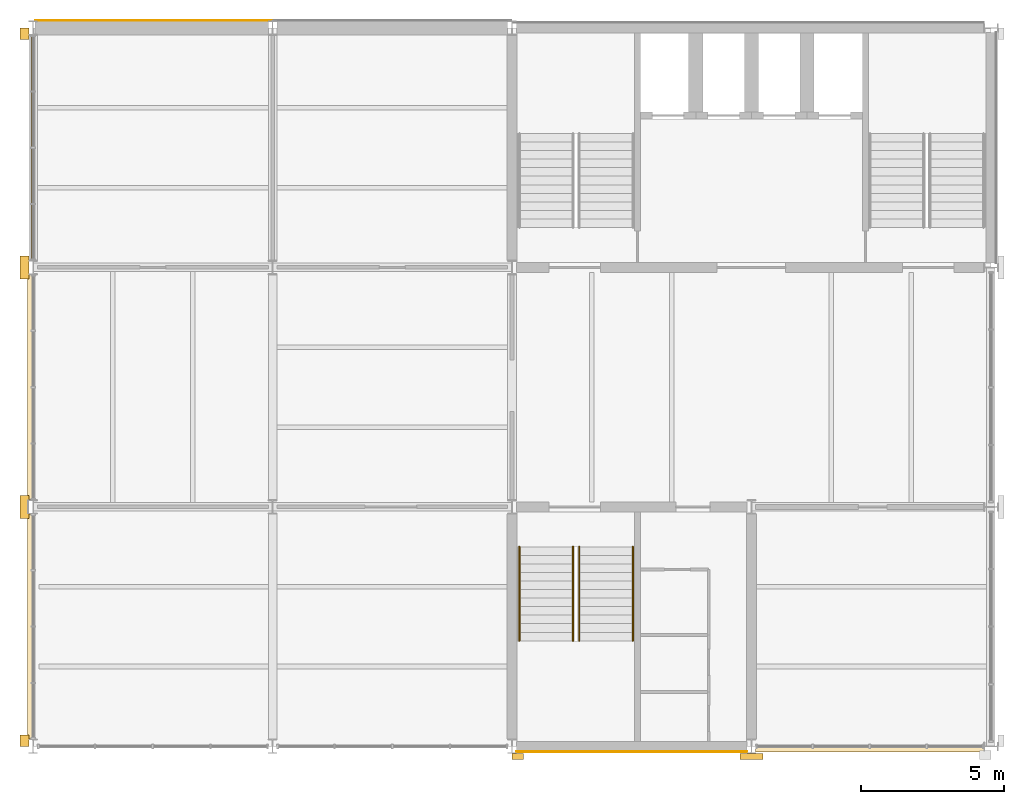
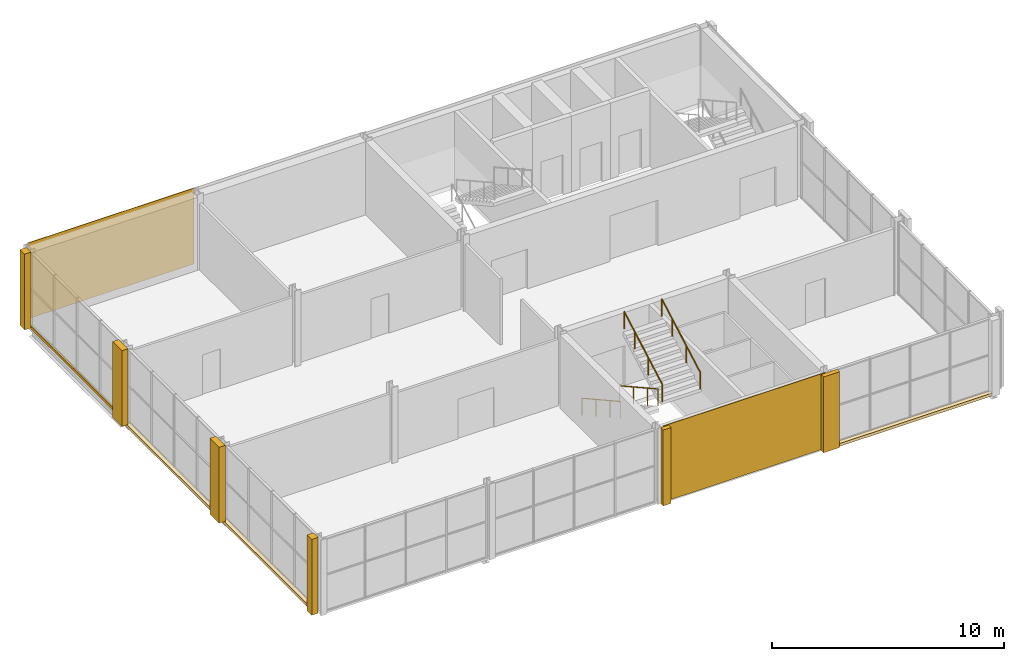
# One storey, part 10 of 12: 12 coverings, 4 railings.
"""IFC4 building model written with IfcOpenShell, lengths in metres."""

from ifc_helpers import new_model, si_unit, direction, frame, origin, origin_2d, place, context, subcontext, project, spatial, rectangle, circle, extrude, material, layer, layer_set, type_object, element, save


model = new_model("IFC4")

# Units and contexts
model_context = context("Model", 3, precision=1e-05, world=origin(), true_north=direction((0.0, 1.0)))
body_context = subcontext(model_context, "Body", "Model", "MODEL_VIEW")
ifc_project = project(units=[si_unit("LENGTHUNIT", "METRE"), si_unit("AREAUNIT", "SQUARE_METRE"), si_unit("VOLUMEUNIT", "CUBIC_METRE"), si_unit("PLANEANGLEUNIT", "RADIAN"), si_unit("MASSUNIT", "GRAM", prefix="KILO")], contexts=[model_context])

# Site, building, storey
site_placement = place(None, origin())
site = spatial("IfcSite", under=ifc_project, at=site_placement, CompositionType="ELEMENT")
building_placement = place(site_placement, origin())
building = spatial("IfcBuilding", under=site, at=building_placement, Name="Galleria Vessillo Department Store", CompositionType="ELEMENT")
storey_placement = place(building_placement, frame((0.0, 0.0, 35.60009765625)))
storey = spatial("IfcBuildingStorey", under=building, at=storey_placement, Name="L07", CompositionType="ELEMENT", Elevation=35.60009765625)

# Coverings
ifc_material_1 = material(Name="Lime plaster (intonaco) ochre")
ifc_layer_1 = layer(ifc_material_1, 0.030029296875)
ifc_layer_set_1 = layer_set([ifc_layer_1], Name="Lime plaster (intonaco) ochre")
covering_type_1 = type_object("IfcCoveringType", Name="Lime plaster render 30 mm", PredefinedType="CLADDING", material=ifc_layer_set_1)
covering_1_placement = place(storey_placement, frame((88.222412109375, 63.264892578125, 0.0), z_axis=(0.0, 0.0, 1.0), x_axis=(1.0, 0.0, 0.0)))
element("IfcCovering", 1, at=covering_1_placement, inside=storey, type_object=covering_type_1, Name="Wall cladding S-TN-L07-01", PredefinedType="CLADDING", context=body_context, shape_type="SweptSolid", body=[
    extrude(rectangle(XDim=8.295166015625, YDim=0.030029296875, at=origin_2d()), origin(), (0.0, 0.0, 1.0), 4.0),
])
ifc_material_2 = material(Name="Botticino limestone ashlar", Category="masonry")
ifc_layer_2 = layer(ifc_material_2, 0.14990234375)
ifc_layer_set_2 = layer_set([ifc_layer_2], Name="Botticino limestone ashlar")
covering_type_2 = type_object("IfcCoveringType", Name="Limestone slab-edge fascia 150 mm", PredefinedType="CLADDING", material=ifc_layer_set_2)
covering_2_placement = place(storey_placement, frame((83.89990234375, 42.0, -0.14990234375), z_axis=(0.0, 0.0, 1.0), x_axis=(1.0, 0.0, 0.0)))
element("IfcCovering", 2, at=covering_2_placement, inside=storey, type_object=covering_type_2, Name="Slab-edge fascia TW-L06-01", PredefinedType="CLADDING", context=body_context, shape_type="SweptSolid", body=[
    extrude(rectangle(XDim=0.199951171875, YDim=7.89990234375, at=origin_2d()), origin(), (0.0, 0.0, 1.0), 0.14990234375),
])
covering_3_placement = place(storey_placement, frame((83.89990234375, 50.39990234375, -0.14990234375), z_axis=(0.0, 0.0, 1.0), x_axis=(1.0, 0.0, 0.0)))
element("IfcCovering", 3, at=covering_3_placement, inside=storey, type_object=covering_type_2, Name="Slab-edge fascia TW-L06-02", PredefinedType="CLADDING", context=body_context, shape_type="SweptSolid", body=[
    extrude(rectangle(XDim=0.199951171875, YDim=7.900146484375, at=origin_2d()), origin(), (0.0, 0.0, 1.0), 0.14990234375),
])
covering_4_placement = place(storey_placement, frame((83.9599609375, 58.800048828125, -0.14990234375), z_axis=(0.0, 0.0, 1.0), x_axis=(1.0, 0.0, 0.0)))
element("IfcCovering", 4, at=covering_4_placement, inside=storey, type_object=covering_type_2, Name="Slab-edge fascia TW-L06-03", PredefinedType="CLADDING", context=body_context, shape_type="SweptSolid", body=[
    extrude(rectangle(XDim=0.080078125, YDim=7.89990234375, at=origin_2d()), origin(), (0.0, 0.0, 1.0), 0.14990234375),
])
covering_5_placement = place(storey_placement, frame((113.35009765625, 37.699951171875, -0.14990234375), z_axis=(0.0, 0.0, 1.0), x_axis=(1.0, 0.0, 0.0)))
element("IfcCovering", 5, at=covering_5_placement, inside=storey, type_object=covering_type_2, Name="Slab-edge fascia TS-L06-01", PredefinedType="CLADDING", context=body_context, shape_type="SweptSolid", body=[
    extrude(rectangle(XDim=8.000244140625, YDim=0.199951171875, at=origin_2d()), origin(), (0.0, 0.0, 1.0), 0.14990234375),
])
ifc_material_3 = material(Name="Botticino limestone ashlar", Category="masonry")
ifc_layer_3 = layer(ifc_material_3, 0.31005859375)
ifc_layer_set_3 = layer_set([ifc_layer_3], Name="Botticino limestone ashlar")
covering_type_3 = type_object("IfcCoveringType", Name="Limestone tower pilaster strip", PredefinedType="CLADDING", material=ifc_layer_set_3)
covering_6_placement = place(storey_placement, frame((83.695068359375, 38.0, 0.0), z_axis=(0.0, 0.0, 1.0), x_axis=(1.0, 0.0, 0.0)))
element("IfcCovering", 6, at=covering_6_placement, inside=storey, type_object=covering_type_3, Name="Tower pilaster strip W L07 37.8", PredefinedType="CLADDING", context=body_context, shape_type="SweptSolid", body=[
    extrude(rectangle(XDim=0.31005859375, YDim=0.39990234375, at=origin_2d()), origin(), (0.0, 0.0, 1.0), 4.0),
])
for number, where, z_axis, x_axis, name in (
    (7, (83.695068359375, 46.199951171875, 0.0), (0.0, 0.0, 1.0), (1.0, 0.0, 0.0), "Tower pilaster strip W L07 46.2"),
    (8, (83.695068359375, 54.60009765625, 0.0), (0.0, 0.0, 1.0), (1.0, 0.0, 0.0), "Tower pilaster strip W L07 54.6"),
):
    element("IfcCovering", number, at=place(storey_placement, frame(where, z_axis=z_axis, x_axis=x_axis)), inside=storey, type_object=covering_type_3, Name=name, PredefinedType="CLADDING", context=body_context, shape_type="SweptSolid", body=[
        extrude(rectangle(XDim=0.31005859375, YDim=0.800048828125, at=origin_2d()), origin(), (0.0, 0.0, 1.0), 4.0),
    ])
covering_7_placement = place(storey_placement, frame((83.695068359375, 62.800048828125, 0.0), z_axis=(0.0, 0.0, 1.0), x_axis=(1.0, 0.0, 0.0)))
element("IfcCovering", 9, at=covering_7_placement, inside=storey, type_object=covering_type_3, Name="Tower pilaster strip W L07 63.0", PredefinedType="CLADDING", context=body_context, shape_type="SweptSolid", body=[
    extrude(rectangle(XDim=0.31005859375, YDim=0.39990234375, at=origin_2d()), origin(), (0.0, 0.0, 1.0), 4.0),
])
covering_8_placement = place(storey_placement, frame((101.0, 37.445068359375, 0.0), z_axis=(0.0, 0.0, 1.0), x_axis=(1.0, 0.0, 0.0)))
element("IfcCovering", 10, at=covering_8_placement, inside=storey, type_object=covering_type_3, Name="Tower pilaster strip S L07 100.8", PredefinedType="CLADDING", context=body_context, shape_type="SweptSolid", body=[
    extrude(rectangle(XDim=0.39990234375, YDim=0.2099609375, at=origin_2d()), origin(), (0.0, 0.0, 1.0), 4.0),
])
covering_9_placement = place(storey_placement, frame((109.199951171875, 37.445068359375, 0.0), z_axis=(0.0, 0.0, 1.0), x_axis=(1.0, 0.0, 0.0)))
element("IfcCovering", 11, at=covering_9_placement, inside=storey, type_object=covering_type_3, Name="Tower pilaster strip S L07 109.2", PredefinedType="CLADDING", context=body_context, shape_type="SweptSolid", body=[
    extrude(rectangle(XDim=0.800048828125, YDim=0.2099609375, at=origin_2d()), origin(), (0.0, 0.0, 1.0), 4.0),
])
ifc_material_4 = material(Name="Botticino limestone ashlar", Category="masonry")
ifc_layer_4 = layer(ifc_material_4, 0.030029296875)
ifc_layer_set_4 = layer_set([ifc_layer_4], Name="Botticino limestone ashlar")
covering_type_4 = type_object("IfcCoveringType", Name="Limestone wall cladding 30 mm", PredefinedType="CLADDING", material=ifc_layer_set_4)
covering_10_placement = place(storey_placement, frame((105.0, 37.610107421875, 0.0), z_axis=(0.0, 0.0, 1.0), x_axis=(1.0, 0.0, 0.0)))
element("IfcCovering", 12, at=covering_10_placement, inside=storey, type_object=covering_type_4, Name="Wall cladding S-CW-TS-PARTY-L07", PredefinedType="CLADDING", context=body_context, shape_type="SweptSolid", body=[
    extrude(rectangle(XDim=8.099853515625, YDim=0.030029296875, at=origin_2d()), origin(), (0.0, 0.0, 1.0), 4.0),
])

# Railings
ifc_material_5 = material(Name="Stainless steel tube", Category="steel")
railing_type = type_object("IfcRailingType", Name="Stair handrail steel tube 48 mm", PredefinedType="HANDRAIL", material=ifc_material_5)
for number, where, name in (
    (13, (102.93994140625, 44.800048828125, 0.166748046875), "Handrail ST12 L07 flight 1A"),
    (14, (101.06005859375, 44.800048828125, 0.166748046875), "Handrail ST12 L07 flight 1B"),
):
    element("IfcRailing", number, at=place(storey_placement, frame(where)), inside=storey, type_object=railing_type, Name=name, PredefinedType="HANDRAIL", context=body_context, shape_type="SweptSolid", body=[
        extrude(circle(Radius=0.02392578125, at=origin_2d()), frame((0.0, 0.0, 0.89599609375), z_axis=(0.0, -0.874199221805, 0.485567421267), x_axis=(1.0, 0.0, 0.0)), (0.0, 0.0, 1.0), 1.37255859375),
        extrude(circle(Radius=0.02392578125, at=origin_2d()), frame((0.0, -1.199951171875, 1.5625), z_axis=(0.0, -0.874123717778, 0.485703331282), x_axis=(1.0, 0.0, 0.0)), (0.0, 0.0, 1.0), 1.372802734375),
        extrude(circle(Radius=0.02392578125, at=origin_2d()), frame((0.0, -2.39990234375, 2.22900390625), z_axis=(0.0, -0.874190826042, 0.485582536407), x_axis=(1.0, 0.0, 0.0)), (0.0, 0.0, 1.0), 1.02978515625),
        extrude(circle(Radius=0.02099609375, at=origin_2d()), origin(), (0.0, 0.0, 1.0), 0.871826171875),
        extrude(circle(Radius=0.02099609375, at=origin_2d()), frame((0.0, -1.199951171875, 0.66650390625)), (0.0, 0.0, 1.0), 0.871826171875),
        extrude(circle(Radius=0.02099609375, at=origin_2d()), frame((0.0, -2.39990234375, 1.333251953125)), (0.0, 0.0, 1.0), 0.871826171875),
        extrude(circle(Radius=0.02099609375, at=origin_2d()), frame((0.0, -3.300048828125, 1.833251953125)), (0.0, 0.0, 1.0), 0.871826171875),
    ])
for number, where, name in (
    (15, (103.16015625, 41.5, 2.166748046875), "Handrail ST12 L07 flight 2A"),
    (16, (105.0400390625, 41.5, 2.166748046875), "Handrail ST12 L07 flight 2B"),
):
    element("IfcRailing", number, at=place(storey_placement, frame(where)), inside=storey, type_object=railing_type, Name=name, PredefinedType="HANDRAIL", context=body_context, shape_type="SweptSolid", body=[
        extrude(circle(Radius=0.02392578125, at=origin_2d()), frame((0.0, 0.0, 0.89599609375), z_axis=(0.0, 0.874199221805, 0.485567421267), x_axis=(-1.0, 0.0, 0.0)), (0.0, 0.0, 1.0), 1.37255859375),
        extrude(circle(Radius=0.02392578125, at=origin_2d()), frame((0.0, 1.199951171875, 1.5625), z_axis=(0.0, 0.874123717778, 0.485703331282), x_axis=(-1.0, 0.0, 0.0)), (0.0, 0.0, 1.0), 1.372802734375),
        extrude(circle(Radius=0.02392578125, at=origin_2d()), frame((0.0, 2.39990234375, 2.22900390625), z_axis=(0.0, 0.874190826042, 0.485582536407), x_axis=(-1.0, 0.0, 0.0)), (0.0, 0.0, 1.0), 1.02978515625),
        extrude(circle(Radius=0.02099609375, at=origin_2d()), origin(), (0.0, 0.0, 1.0), 0.871826171875),
        extrude(circle(Radius=0.02099609375, at=origin_2d()), frame((0.0, 1.199951171875, 0.66650390625)), (0.0, 0.0, 1.0), 0.871826171875),
        extrude(circle(Radius=0.02099609375, at=origin_2d()), frame((0.0, 2.39990234375, 1.333251953125)), (0.0, 0.0, 1.0), 0.871826171875),
        extrude(circle(Radius=0.02099609375, at=origin_2d()), frame((0.0, 3.300048828125, 1.833251953125)), (0.0, 0.0, 1.0), 0.871826171875),
    ])

save(model, "model.ifc")
